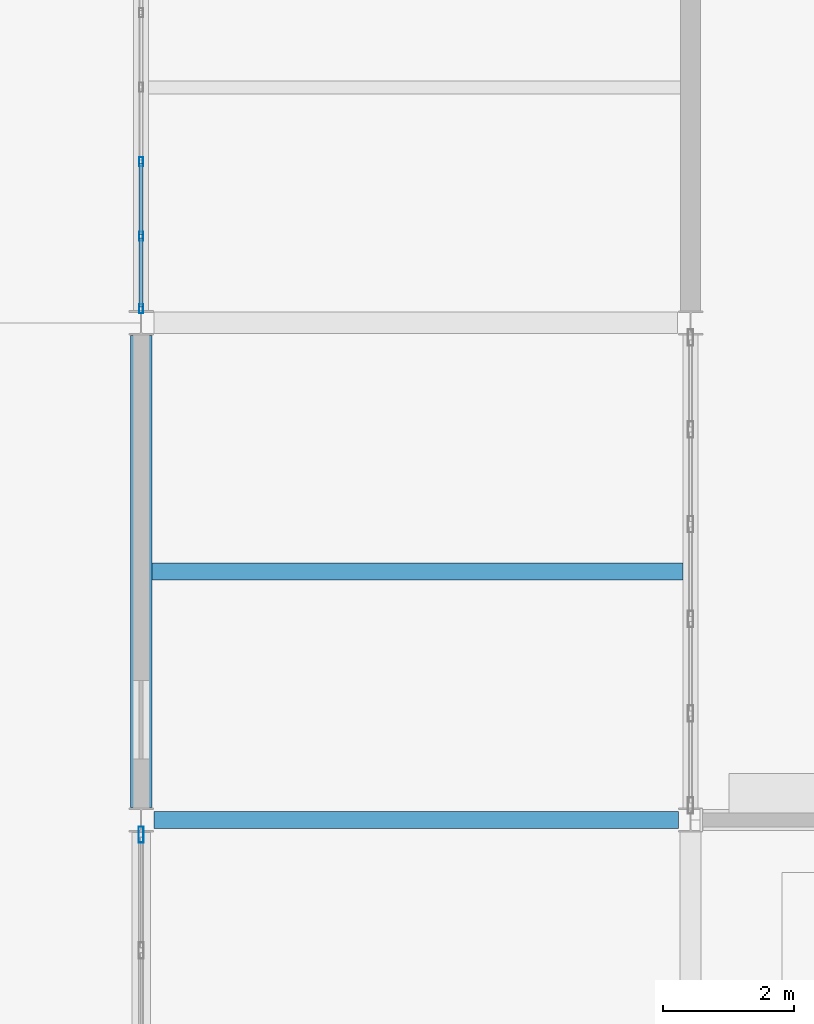
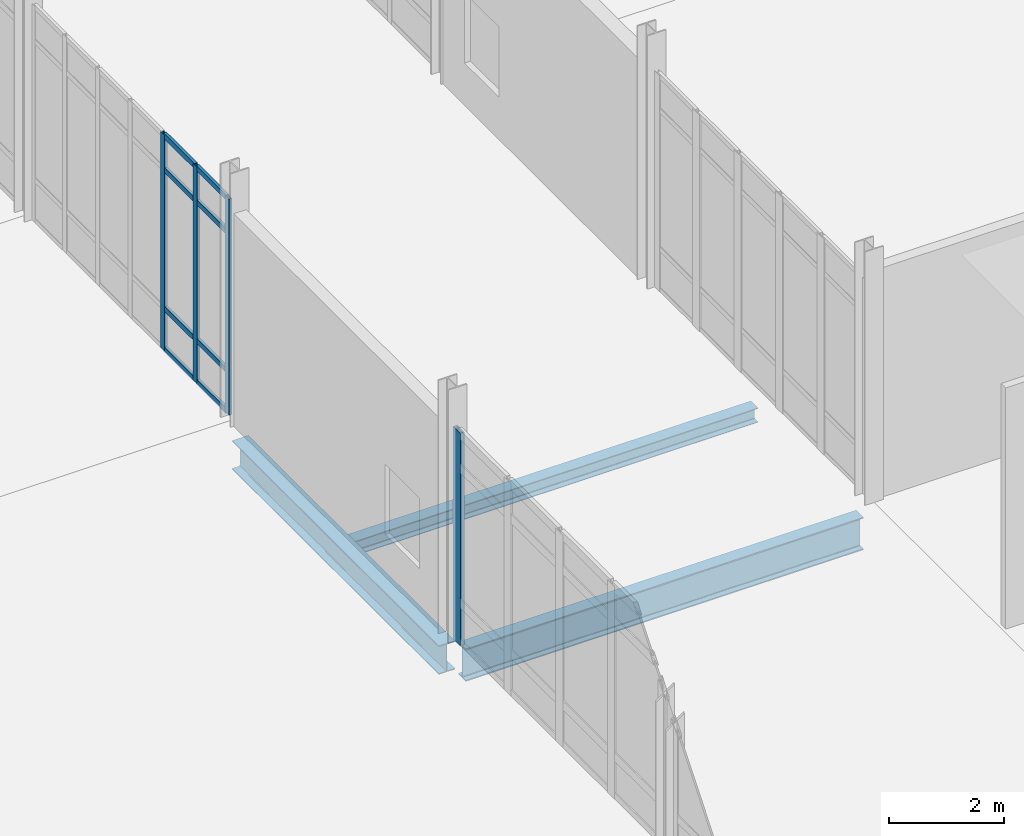
# One storey, part 78 of 229: 12 members, 3 beams, 2 elements without a shape of their own.
"""IFC4 building model written with IfcOpenShell, lengths in metres."""

import ifcopenshell
import ifcopenshell.guid

model = None  # the IFC model being written
_history = None  # IfcOwnerHistory: only IFC2X3 demands one
_inside = {}  # id of a spatial element -> (the spatial element, [elements in it])
_under = {}  # id of a project, library or spatial element -> (it, [spatial elements below it])
_declared = {}  # id of a project -> (the project, [libraries it declares])
_typed = {}  # id of a type object -> (the type object, [elements of that type])
_made_of = {}  # id of a material, layer set ... -> (it, [elements and type objects made of it])


def new_model(schema):
    """Start an empty IFC model of exactly this schema.

    Asked for "IFC4X3", IfcOpenShell would pick the latest addendum, in which some entities
    have other attributes; the version numbers below select the first issue.
    IFC2X3 requires an IfcOwnerHistory on every rooted entity: one is made here for all.
    """
    global model, _history
    if schema == "IFC4X3":
        model = ifcopenshell.file(schema_version=(4, 3, 0, 0))
    else:
        model = ifcopenshell.file(schema=schema)
    _inside.clear()
    _under.clear()
    _declared.clear()
    _typed.clear()
    _made_of.clear()
    _history = None
    if model.schema == "IFC2X3":
        org = make("IfcOrganization", Name="unknown")
        user = make(
            "IfcPersonAndOrganization",
            ThePerson=make("IfcPerson", FamilyName="unknown"),
            TheOrganization=org,
        )
        app = make(
            "IfcApplication",
            ApplicationDeveloper=org,
            Version="unknown",
            ApplicationFullName="unknown",
            ApplicationIdentifier="unknown",
        )
        _history = make(
            "IfcOwnerHistory",
            OwningUser=user,
            OwningApplication=app,
            ChangeAction="ADDED",
            CreationDate=0,
        )
    return model


def make(cls, **values):
    """One entity of the class cls with the attributes given. An attribute that is None is left unset."""
    return model.create_entity(
        cls, **{name: value for name, value in values.items() if value is not None}
    )


def rooted(cls, **values):
    """An entity with a GlobalId (a new one), such as an element, a storey or a relation."""
    return make(cls, GlobalId=ifcopenshell.guid.new(), OwnerHistory=_history, **values)


def si_unit(unit_type, name, prefix=None):
    """IfcSIUnit, for example si_unit("LENGTHUNIT", "METRE", prefix="MILLI")."""
    return make("IfcSIUnit", UnitType=unit_type, Prefix=prefix, Name=name)


def assignment(units):
    """IfcUnitAssignment: the units of a project."""
    return None if units is None else make("IfcUnitAssignment", Units=units)


def point(xyz):
    """IfcCartesianPoint."""
    return None if xyz is None else make("IfcCartesianPoint", Coordinates=xyz)


def direction(xyz):
    """IfcDirection."""
    return None if xyz is None else make("IfcDirection", DirectionRatios=xyz)


def frame(location, z_axis=None, x_axis=None):
    """IfcAxis2Placement3D, a coordinate frame: its origin and axes. An axis left out is left unset."""
    return make(
        "IfcAxis2Placement3D",
        Location=point(location),
        Axis=direction(z_axis),
        RefDirection=direction(x_axis),
    )


def frame_2d(location, x_axis=None):
    """IfcAxis2Placement2D, a coordinate frame in the plane: its origin and x axis."""
    return make(
        "IfcAxis2Placement2D", Location=point(location), RefDirection=direction(x_axis)
    )


def origin():
    """The frame at (0, 0, 0) with its axes left unset."""
    return frame((0.0, 0.0, 0.0))


def origin_2d():
    """The frame at (0, 0) in the plane with its x axis left unset."""
    return frame_2d((0.0, 0.0))


def place(relative_to, where):
    """IfcLocalPlacement: puts the frame where relative to a parent placement (None: the world)."""
    return make(
        "IfcLocalPlacement", PlacementRelTo=relative_to, RelativePlacement=where
    )


def context(
    kind, dimensions, precision=None, world=None, true_north=None, identifier=None
):
    """IfcGeometricRepresentationContext, for example the 3D "Model" context."""
    return make(
        "IfcGeometricRepresentationContext",
        ContextIdentifier=identifier,
        ContextType=kind,
        CoordinateSpaceDimension=dimensions,
        Precision=precision,
        WorldCoordinateSystem=world,
        TrueNorth=true_north,
    )


def subcontext(parent, identifier, kind, view, scale=None):
    """IfcGeometricRepresentationSubContext, for example "Body" below "Model"."""
    return make(
        "IfcGeometricRepresentationSubContext",
        ContextIdentifier=identifier,
        ContextType=kind,
        ParentContext=parent,
        TargetScale=scale,
        TargetView=view,
    )


def project(units=None, contexts=None):
    """IfcProject with its units and contexts."""
    return rooted(
        "IfcProject",
        Name="project",
        RepresentationContexts=contexts,
        UnitsInContext=assignment(units),
    )


def spatial(cls, under=None, at=None, **own):
    """A site, building, storey or space (cls), placed at a placement, below another one or the project."""
    s = rooted(cls, ObjectPlacement=at, **own)
    if under is not None:
        _under.setdefault(under.id(), (under, []))[1].append(s)
    return s


def profile(cls, at=None, kind="AREA", **sizes):
    """A parametric profile (cls). Its sizes go by their IFC names, for example OverallWidth=200.0."""
    return make(cls, ProfileType=kind, Position=at, **sizes)


def hollow_rectangle(**sizes):
    """IfcRectangleHollowProfileDef."""
    return profile("IfcRectangleHollowProfileDef", **sizes)


def i_section(**sizes):
    """IfcIShapeProfileDef."""
    return profile("IfcIShapeProfileDef", **sizes)


def extrude(swept, where, along, depth):
    """IfcExtrudedAreaSolid: the profile swept, set in the frame where, extruded along a direction by depth."""
    return make(
        "IfcExtrudedAreaSolid",
        SweptArea=swept,
        Position=where,
        ExtrudedDirection=direction(along),
        Depth=depth,
    )


def shape(context_of_items, identifier, shape_type, items):
    """IfcShapeRepresentation: the items that make up one representation, for example the "Body"."""
    return make(
        "IfcShapeRepresentation",
        ContextOfItems=context_of_items,
        RepresentationIdentifier=identifier,
        RepresentationType=shape_type,
        Items=items,
    )


def material(Name=None, Category=None):
    """IfcMaterial."""
    return make("IfcMaterial", Name=Name, Category=Category)


def layer(
    of_material, thickness, ventilated=None, Name=None, Category=None, Priority=None
):
    """IfcMaterialLayer: one layer of a wall or slab, of a material (None: an air gap)."""
    return make(
        "IfcMaterialLayer",
        Material=of_material,
        LayerThickness=thickness,
        IsVentilated=ventilated,
        Name=Name,
        Category=Category,
        Priority=Priority,
    )


def layer_set(layers, Name=None):
    """IfcMaterialLayerSet."""
    return make("IfcMaterialLayerSet", MaterialLayers=layers, LayerSetName=Name)


def material_profile(
    of_material, cross_section, Name=None, Category=None, Priority=None
):
    """IfcMaterialProfile: a cross section and its material."""
    return make(
        "IfcMaterialProfile",
        Name=Name,
        Material=of_material,
        Profile=cross_section,
        Priority=Priority,
        Category=Category,
    )


def profile_set(profiles, Name=None, composite=None):
    """IfcMaterialProfileSet."""
    return make(
        "IfcMaterialProfileSet",
        Name=Name,
        MaterialProfiles=profiles,
        CompositeProfile=composite,
    )


def made_of(thing, what):
    """Note that an element or type object is made of a material, layer set ...; save() writes the relation."""
    if what is not None:
        _made_of.setdefault(what.id(), (what, []))[1].append(thing)
    return thing


def type_object(cls, material=None, **own):
    """A type object (cls), such as IfcWallType, which elements share."""
    return made_of(rooted(cls, **own), material)


def element(
    cls,
    number,
    at=None,
    inside=None,
    cuts=None,
    type_object=None,
    material=None,
    context=None,
    identifier="Body",
    shape_type=None,
    held_by="IfcProductDefinitionShape",
    body=None,
    shapes=None,
    **own,
):
    """One element of the class cls, such as IfcWall. Its Tag is "e" and its number.

    at: its placement. inside: the storey or other place that contains it. cuts: it is an
    opening in that element (IfcRelVoidsElement). A single representation is given by context,
    identifier, shape_type and body (its items); several are given by shapes. held_by: the class
    of the entity that holds the representations. save() writes the other relations.
    """
    e = rooted(cls, Tag="e%d" % number, ObjectPlacement=at, **own)
    if body is not None:
        shapes = [shape(context, identifier, shape_type, body)]
    if shapes is not None:
        e.Representation = make(held_by, Representations=shapes)
    if inside is not None:
        _inside.setdefault(inside.id(), (inside, []))[1].append(e)
    if cuts is not None:
        rooted(
            "IfcRelVoidsElement", RelatingBuildingElement=cuts, RelatedOpeningElement=e
        )
    if type_object is not None:
        _typed.setdefault(type_object.id(), (type_object, []))[1].append(e)
    return made_of(e, material)


def aggregate(whole, parts):
    """IfcRelAggregates: a whole, such as a stair, and the parts it consists of."""
    return rooted("IfcRelAggregates", RelatingObject=whole, RelatedObjects=parts)


def save(model, path):
    """Write the relations noted so far, then the file.

    IfcRelAggregates (storeys below a building ...), IfcRelContainedInSpatialStructure (elements
    in a storey), IfcRelDefinesByType, IfcRelAssociatesMaterial and IfcRelDeclares: one each for
    every whole, place, type object, material and project.
    """
    for whole, parts in _under.values():
        aggregate(whole, parts)
    for where, things in _inside.values():
        rooted(
            "IfcRelContainedInSpatialStructure",
            RelatedElements=things,
            RelatingStructure=where,
        )
    for kind, things in _typed.values():
        rooted("IfcRelDefinesByType", RelatedObjects=things, RelatingType=kind)
    for what, things in _made_of.values():
        rooted("IfcRelAssociatesMaterial", RelatedObjects=things, RelatingMaterial=what)
    for by, libraries in _declared.values():
        rooted("IfcRelDeclares", RelatingContext=by, RelatedDefinitions=libraries)
    model.write(path)


model = new_model("IFC4")

# Units and contexts
model_context = context("Model", 3, precision=1e-05, world=origin(), true_north=direction((0.0, 1.0)))
body_context = subcontext(model_context, "Body", "Model", "MODEL_VIEW")
ifc_project = project(units=[si_unit("LENGTHUNIT", "METRE"), si_unit("AREAUNIT", "SQUARE_METRE"), si_unit("VOLUMEUNIT", "CUBIC_METRE"), si_unit("PLANEANGLEUNIT", "RADIAN"), si_unit("MASSUNIT", "GRAM", prefix="KILO")], contexts=[model_context])

# Site, building, storey
site_placement = place(None, origin())
site = spatial("IfcSite", under=ifc_project, at=site_placement, CompositionType="ELEMENT")
building_placement = place(site_placement, origin())
building = spatial("IfcBuilding", under=site, at=building_placement, Name="Calvrana Isthmian Art Gallery", CompositionType="ELEMENT")
storey_placement = place(building_placement, origin())
storey = spatial("IfcBuildingStorey", under=building, at=storey_placement, Name="L00", CompositionType="ELEMENT", Elevation=0.0)

# Beams
ifc_material_1 = material(Name="Steel ASTM A992 Gr 50", Category="steel")
ifc_material_profile_1 = material_profile(ifc_material_1, i_section(OverallWidth=0.324951171875, OverallDepth=0.612060546875, WebThickness=0.0126953125, FlangeThickness=0.01904296875, FilletRadius=0.02197265625, at=origin_2d()), Name="W24X104")
ifc_profile_set_1 = profile_set([ifc_material_profile_1], Name="Steel ASTM A992 Gr 50")
beam_type_1 = type_object("IfcBeamType", Name="BM-G-W24X104", PredefinedType="BEAM", material=ifc_profile_set_1)
beam_1_placement = place(storey_placement, frame((55.199951171875, 62.18798828125, -0.591064453125), z_axis=(0.0, 1.0, 0.0), x_axis=(-1.0, 0.0, 0.0)))
element("IfcBeam", 1, at=beam_1_placement, inside=storey, type_object=beam_type_1, Name="Girder Y L00 08/I-J", PredefinedType="BEAM", context=body_context, shape_type="SweptSolid", body=[
    extrude(i_section(OverallWidth=0.324951171875, OverallDepth=0.612060546875, WebThickness=0.0126953125, FlangeThickness=0.01904296875, FilletRadius=0.02197265625, at=origin_2d()), origin(), (0.0, 0.0, 1.0), 7.221435546875),
])
ifc_material_profile_2 = material_profile(ifc_material_1, i_section(OverallWidth=0.257080078125, OverallDepth=0.693115234375, WebThickness=0.014404296875, FlangeThickness=0.023681640625, FilletRadius=0.02392578125, at=origin_2d()), Name="W27X114")
ifc_profile_set_2 = profile_set([ifc_material_profile_2], Name="Steel ASTM A992 Gr 50")
beam_type_2 = type_object("IfcBeamType", Name="BM-G-W27X114", PredefinedType="BEAM", material=ifc_profile_set_2)
beam_2_placement = place(storey_placement, frame((55.39697265625, 62.0, -0.631591796875), z_axis=(1.0, 0.0, 0.0), x_axis=(0.0, 1.0, 0.0)))
element("IfcBeam", 2, at=beam_2_placement, inside=storey, type_object=beam_type_2, Name="Girder X L00 08-09/I", PredefinedType="BEAM", context=body_context, shape_type="SweptSolid", body=[
    extrude(i_section(OverallWidth=0.257080078125, OverallDepth=0.693115234375, WebThickness=0.014404296875, FlangeThickness=0.023681640625, FilletRadius=0.02392578125, at=origin_2d()), origin(), (0.0, 0.0, 1.0), 8.0166015625),
])
ifc_material_profile_3 = material_profile(ifc_material_1, i_section(OverallWidth=0.25390625, OverallDepth=0.306884765625, WebThickness=0.0087890625, FlangeThickness=0.0146484375, FilletRadius=0.01611328125, at=origin_2d()), Name="W12X53")
ifc_profile_set_3 = profile_set([ifc_material_profile_3], Name="Steel ASTM A992 Gr 50")
beam_type_3 = type_object("IfcBeamType", Name="BM-J-W12X53", PredefinedType="JOIST", material=ifc_profile_set_3)
beam_3_placement = place(storey_placement, frame((55.362548828125, 65.800048828125, -0.4384765625), z_axis=(1.0, 0.0, 0.0), x_axis=(0.0, 1.0, 0.0)))
element("IfcBeam", 3, at=beam_3_placement, inside=storey, type_object=beam_type_3, Name="Composite joist L00 bay 07-08", PredefinedType="JOIST", context=body_context, shape_type="SweptSolid", body=[
    extrude(i_section(OverallWidth=0.25390625, OverallDepth=0.306884765625, WebThickness=0.0087890625, FlangeThickness=0.0146484375, FilletRadius=0.01611328125, at=origin_2d()), origin(), (0.0, 0.0, 1.0), 8.12353515625),
])

# Curtain wall, members
ifc_material_2 = material(Name="Anodized bronze aluminium 6063-T6", Category="aluminium")
ifc_layer_1 = layer(ifc_material_2, 0.179931640625, Name="Anodized bronze aluminium 6063-T6")
ifc_layer_set_1 = layer_set([ifc_layer_1], Name="Anodized bronze aluminium 6063-T6")
curtain_wall_type_1 = type_object("IfcCurtainWallType", Name="CW-UNIT-068X46", PredefinedType="USERDEFINED", material=ifc_layer_set_1)
curtain_wall_1_placement = place(storey_placement, origin())
curtain_wall_1 = element("IfcCurtainWall", 4, at=curtain_wall_1_placement, inside=storey, type_object=curtain_wall_type_1, Name="Curtain wall CW-060", ObjectType="UNITISED CURTAIN WALL", PredefinedType="USERDEFINED")
ifc_material_profile_4 = material_profile(ifc_material_2, hollow_rectangle(XDim=0.06005859375, YDim=0.139892578125, WallThickness=0.00390625, at=origin_2d()), Name="CWM60X140")
ifc_profile_set_4 = profile_set([ifc_material_profile_4], Name="Anodized bronze aluminium 6063-T6")
member_type_1 = type_object("IfcMemberType", Name="CWM-CWM60X140", PredefinedType="MULLION", material=ifc_profile_set_4)
member_1_placement = place(storey_placement, frame((55.199951171875, 69.81640625, 0.0), z_axis=(0.0, 0.0, 1.0), x_axis=(-1.0, 0.0, 0.0)))
member_1 = element("IfcMember", 5, at=member_1_placement, type_object=member_type_1, Name="CW-060 mullion 1", PredefinedType="MULLION", context=body_context, shape_type="SweptSolid", body=[
    extrude(hollow_rectangle(XDim=0.06005859375, YDim=0.139892578125, WallThickness=0.00390625, at=origin_2d()), origin(), (0.0, 0.0, 1.0), 4.60693359375),
])
member_2_placement = place(storey_placement, frame((55.199951171875, 70.92578125, 0.0), z_axis=(0.0, 0.0, 1.0), x_axis=(-1.0, 0.0, 0.0)))
member_2 = element("IfcMember", 6, at=member_2_placement, type_object=member_type_1, Name="CW-060 mullion 2", PredefinedType="MULLION", context=body_context, shape_type="SweptSolid", body=[
    extrude(hollow_rectangle(XDim=0.06005859375, YDim=0.139892578125, WallThickness=0.00390625, at=origin_2d()), origin(), (0.0, 0.0, 1.0), 4.60693359375),
])
member_3_placement = place(storey_placement, frame((55.199951171875, 72.06494140625, 0.0), z_axis=(0.0, 0.0, 1.0), x_axis=(-1.0, 0.0, 0.0)))
member_3 = element("IfcMember", 7, at=member_3_placement, type_object=member_type_1, Name="CW-060 mullion 3", PredefinedType="MULLION", context=body_context, shape_type="SweptSolid", body=[
    extrude(hollow_rectangle(XDim=0.06005859375, YDim=0.139892578125, WallThickness=0.00390625, at=origin_2d()), origin(), (0.0, 0.0, 1.0), 4.60693359375),
])

# Curtain wall, member
ifc_layer_2 = layer(ifc_material_2, 0.179931640625, Name="Anodized bronze aluminium 6063-T6")
ifc_layer_set_2 = layer_set([ifc_layer_2], Name="Anodized bronze aluminium 6063-T6")
curtain_wall_type_2 = type_object("IfcCurtainWallType", Name="CW-STICK-072X45", PredefinedType="NOTDEFINED", material=ifc_layer_set_2)
curtain_wall_2_placement = place(storey_placement, origin())
curtain_wall_2 = element("IfcCurtainWall", 8, at=curtain_wall_2_placement, inside=storey, type_object=curtain_wall_type_2, Name="Curtain wall CW-059", PredefinedType="NOTDEFINED")
ifc_material_profile_5 = material_profile(ifc_material_2, hollow_rectangle(XDim=0.080078125, YDim=0.25, WallThickness=0.005615234375, at=origin_2d()), Name="CWM80X250")
ifc_profile_set_5 = profile_set([ifc_material_profile_5], Name="Anodized bronze aluminium 6063-T6")
member_type_2 = type_object("IfcMemberType", Name="CWM-CWM80X250", PredefinedType="MULLION", material=ifc_profile_set_5)
member_4_placement = place(storey_placement, frame((55.199951171875, 61.77587890625, 0.0), z_axis=(0.0, 0.0, 1.0), x_axis=(-1.0, 0.0, 0.0)))
member_4 = element("IfcMember", 9, at=member_4_placement, type_object=member_type_2, Name="CW-059 mullion 5", PredefinedType="MULLION", context=body_context, shape_type="SweptSolid", body=[
    extrude(hollow_rectangle(XDim=0.080078125, YDim=0.25, WallThickness=0.005615234375, at=origin_2d()), origin(), (0.0, 0.0, 1.0), 4.528076171875),
])
aggregate(curtain_wall_2, [member_4])

# Member
ifc_material_profile_6 = material_profile(ifc_material_2, hollow_rectangle(XDim=0.06005859375, YDim=0.110107421875, WallThickness=0.00341796875, at=origin_2d()), Name="CWT60X110")
ifc_profile_set_6 = profile_set([ifc_material_profile_6], Name="Anodized bronze aluminium 6063-T6")
member_type_3 = type_object("IfcMemberType", Name="CWT-CWT60X110", PredefinedType="USERDEFINED", material=ifc_profile_set_6)
member_5_placement = place(storey_placement, frame((55.199951171875, 69.846435546875, 0.030029296875), z_axis=(0.0, 1.0, 0.0), x_axis=(-1.0, 0.0, 0.0)))
member_5 = element("IfcMember", 10, at=member_5_placement, type_object=member_type_3, Name="CW-060 transom 1.1", ObjectType="TRANSOM", PredefinedType="USERDEFINED", context=body_context, shape_type="SweptSolid", body=[
    extrude(hollow_rectangle(XDim=0.06005859375, YDim=0.110107421875, WallThickness=0.00341796875, at=origin_2d()), origin(), (0.0, 0.0, 1.0), 1.04931640625),
])

member_6_placement = place(storey_placement, frame((55.199951171875, 69.846435546875, 0.89990234375), z_axis=(0.0, 1.0, 0.0), x_axis=(-1.0, 0.0, 0.0)))
member_6 = element("IfcMember", 11, at=member_6_placement, type_object=member_type_3, Name="CW-060 transom 1.2", ObjectType="TRANSOM", PredefinedType="USERDEFINED", context=body_context, shape_type="SweptSolid", body=[
    extrude(hollow_rectangle(XDim=0.06005859375, YDim=0.110107421875, WallThickness=0.00341796875, at=origin_2d()), origin(), (0.0, 0.0, 1.0), 1.04931640625),
])

member_7_placement = place(storey_placement, frame((55.199951171875, 69.846435546875, 3.85693359375), z_axis=(0.0, 1.0, 0.0), x_axis=(-1.0, 0.0, 0.0)))
member_7 = element("IfcMember", 12, at=member_7_placement, type_object=member_type_3, Name="CW-060 transom 1.3", ObjectType="TRANSOM", PredefinedType="USERDEFINED", context=body_context, shape_type="SweptSolid", body=[
    extrude(hollow_rectangle(XDim=0.06005859375, YDim=0.110107421875, WallThickness=0.00341796875, at=origin_2d()), origin(), (0.0, 0.0, 1.0), 1.04931640625),
])

member_8_placement = place(storey_placement, frame((55.199951171875, 69.846435546875, 4.576904296875), z_axis=(0.0, 1.0, 0.0), x_axis=(-1.0, 0.0, 0.0)))
member_8 = element("IfcMember", 13, at=member_8_placement, type_object=member_type_3, Name="CW-060 transom 1.4", ObjectType="TRANSOM", PredefinedType="USERDEFINED", context=body_context, shape_type="SweptSolid", body=[
    extrude(hollow_rectangle(XDim=0.06005859375, YDim=0.110107421875, WallThickness=0.00341796875, at=origin_2d()), origin(), (0.0, 0.0, 1.0), 1.04931640625),
])

member_9_placement = place(storey_placement, frame((55.199951171875, 70.955810546875, 0.030029296875), z_axis=(0.0, 1.0, 0.0), x_axis=(-1.0, 0.0, 0.0)))
member_9 = element("IfcMember", 14, at=member_9_placement, type_object=member_type_3, Name="CW-060 transom 2.1", ObjectType="TRANSOM", PredefinedType="USERDEFINED", context=body_context, shape_type="SweptSolid", body=[
    extrude(hollow_rectangle(XDim=0.06005859375, YDim=0.110107421875, WallThickness=0.00341796875, at=origin_2d()), origin(), (0.0, 0.0, 1.0), 1.0791015625),
])

member_10_placement = place(storey_placement, frame((55.199951171875, 70.955810546875, 0.89990234375), z_axis=(0.0, 1.0, 0.0), x_axis=(-1.0, 0.0, 0.0)))
member_10 = element("IfcMember", 15, at=member_10_placement, type_object=member_type_3, Name="CW-060 transom 2.2", ObjectType="TRANSOM", PredefinedType="USERDEFINED", context=body_context, shape_type="SweptSolid", body=[
    extrude(hollow_rectangle(XDim=0.06005859375, YDim=0.110107421875, WallThickness=0.00341796875, at=origin_2d()), origin(), (0.0, 0.0, 1.0), 1.0791015625),
])

member_11_placement = place(storey_placement, frame((55.199951171875, 70.955810546875, 3.85693359375), z_axis=(0.0, 1.0, 0.0), x_axis=(-1.0, 0.0, 0.0)))
member_11 = element("IfcMember", 16, at=member_11_placement, type_object=member_type_3, Name="CW-060 transom 2.3", ObjectType="TRANSOM", PredefinedType="USERDEFINED", context=body_context, shape_type="SweptSolid", body=[
    extrude(hollow_rectangle(XDim=0.06005859375, YDim=0.110107421875, WallThickness=0.00341796875, at=origin_2d()), origin(), (0.0, 0.0, 1.0), 1.0791015625),
])

member_12_placement = place(storey_placement, frame((55.199951171875, 70.955810546875, 4.576904296875), z_axis=(0.0, 1.0, 0.0), x_axis=(-1.0, 0.0, 0.0)))
member_12 = element("IfcMember", 17, at=member_12_placement, type_object=member_type_3, Name="CW-060 transom 2.4", ObjectType="TRANSOM", PredefinedType="USERDEFINED", context=body_context, shape_type="SweptSolid", body=[
    extrude(hollow_rectangle(XDim=0.06005859375, YDim=0.110107421875, WallThickness=0.00341796875, at=origin_2d()), origin(), (0.0, 0.0, 1.0), 1.0791015625),
])

aggregate(curtain_wall_1, [member_1, member_2, member_3, member_5, member_6, member_7, member_8, member_9, member_10, member_11, member_12])

save(model, "model.ifc")
